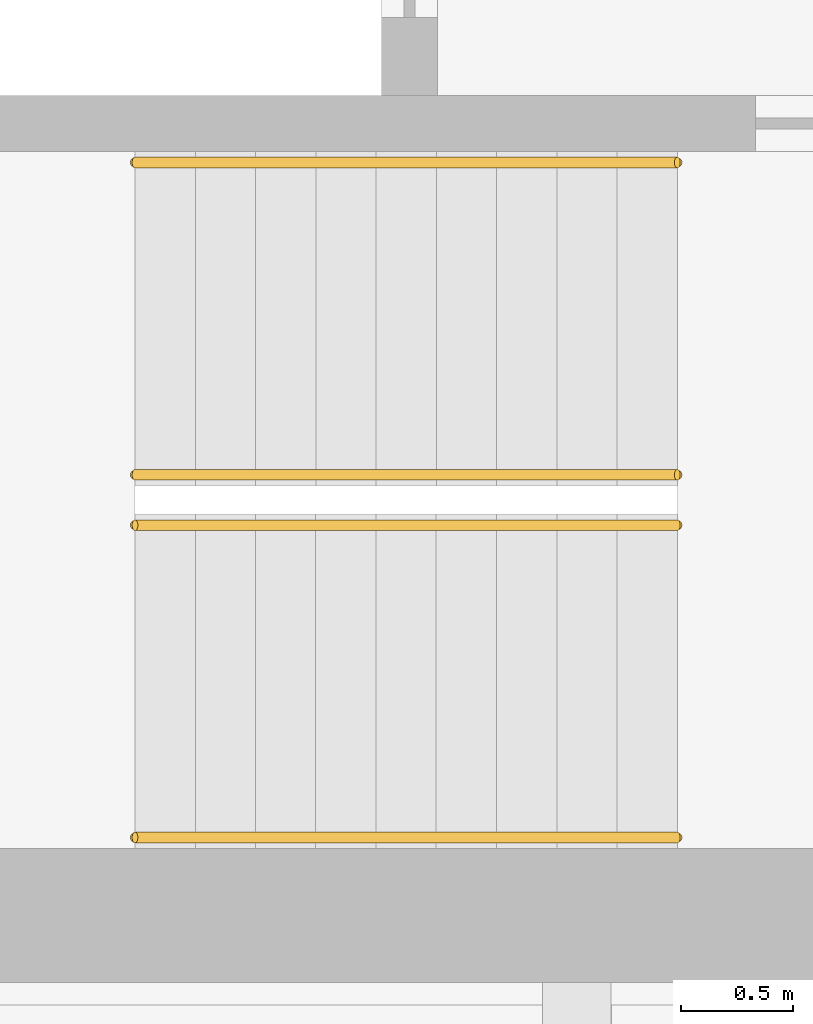
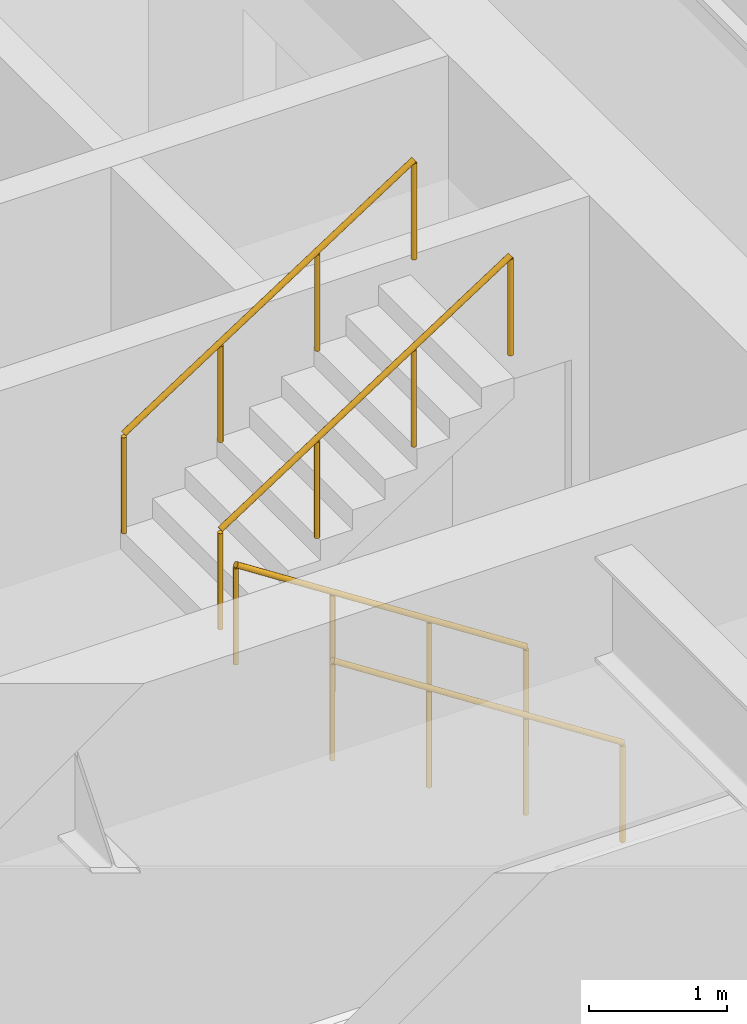
# One storey, part 17 of 21: 4 railings.
"""IFC4 building model written with IfcOpenShell, lengths in metres."""

from ifc_helpers import new_model, si_unit, direction, frame, origin, origin_2d, place, context, subcontext, project, spatial, circle, extrude, material, type_object, element, save


model = new_model("IFC4")

# Units and contexts
model_context = context("Model", 3, precision=1e-05, world=origin(), true_north=direction((0.0, 1.0)))
body_context = subcontext(model_context, "Body", "Model", "MODEL_VIEW")
ifc_project = project(units=[si_unit("LENGTHUNIT", "METRE"), si_unit("AREAUNIT", "SQUARE_METRE"), si_unit("VOLUMEUNIT", "CUBIC_METRE"), si_unit("PLANEANGLEUNIT", "RADIAN"), si_unit("MASSUNIT", "GRAM", prefix="KILO")], contexts=[model_context])

# Site, building, storey
site_placement = place(None, origin())
site = spatial("IfcSite", under=ifc_project, at=site_placement, CompositionType="ELEMENT")
building_placement = place(site_placement, origin())
building = spatial("IfcBuilding", under=site, at=building_placement, Name="Msasa Ring Tower", CompositionType="ELEMENT")
storey_placement = place(building_placement, frame((0.0, 0.0, 51.0)))
storey = spatial("IfcBuildingStorey", under=building, at=storey_placement, Name="L12", CompositionType="ELEMENT", Elevation=51.0)

# Railings
ifc_material = material(Name="Stainless steel", Category="steel")
railing_type = type_object("IfcRailingType", Name="HR1 HANDRAIL 900", PredefinedType="HANDRAIL", material=ifc_material)
for number, where, name in (
    (1, (-10.800048828125, -6.39990234375, 0.175048828125), "Handrail stair SWA L12 1"),
    (2, (-10.800048828125, -5.0, 0.175048828125), "Handrail stair SWA L12 2"),
):
    element("IfcRailing", number, at=place(storey_placement, frame(where)), inside=storey, type_object=railing_type, Name=name, PredefinedType="HANDRAIL", context=body_context, shape_type="SweptSolid", body=[
        extrude(circle(Radius=0.02392578125, at=origin_2d()), frame((0.0, 0.0, 0.8759765625), z_axis=(-0.839153699163, 0.0, 0.543894354798), x_axis=(0.0, -1.0, 0.0)), (0.0, 0.0, 1.0), 2.895751953125),
        extrude(circle(Radius=0.02099609375, at=origin_2d()), origin(), (0.0, 0.0, 1.0), 0.851806640625),
        extrude(circle(Radius=0.02099609375, at=origin_2d()), frame((-0.81005859375, 0.0, 0.52490234375)), (0.0, 0.0, 1.0), 0.851806640625),
        extrude(circle(Radius=0.02099609375, at=origin_2d()), frame((-1.619873046875, 0.0, 1.050048828125)), (0.0, 0.0, 1.0), 0.851806640625),
        extrude(circle(Radius=0.02099609375, at=origin_2d()), frame((-2.429931640625, 0.0, 1.574951171875)), (0.0, 0.0, 1.0), 0.851806640625),
    ])
for number, where, name in (
    (3, (-13.22998046875, -4.77490234375, 1.925048828125), "Handrail stair SWA L12 3"),
    (4, (-13.22998046875, -3.375, 1.925048828125), "Handrail stair SWA L12 4"),
):
    element("IfcRailing", number, at=place(storey_placement, frame(where)), inside=storey, type_object=railing_type, Name=name, PredefinedType="HANDRAIL", context=body_context, shape_type="SweptSolid", body=[
        extrude(circle(Radius=0.02392578125, at=origin_2d()), frame((0.0, 0.0, 0.8759765625), z_axis=(0.839153699163, 0.0, 0.543894354798), x_axis=(0.0, 1.0, 0.0)), (0.0, 0.0, 1.0), 2.895751953125),
        extrude(circle(Radius=0.02099609375, at=origin_2d()), origin(), (0.0, 0.0, 1.0), 0.851806640625),
        extrude(circle(Radius=0.02099609375, at=origin_2d()), frame((0.81005859375, 0.0, 0.52490234375)), (0.0, 0.0, 1.0), 0.851806640625),
        extrude(circle(Radius=0.02099609375, at=origin_2d()), frame((1.619873046875, 0.0, 1.050048828125)), (0.0, 0.0, 1.0), 0.851806640625),
        extrude(circle(Radius=0.02099609375, at=origin_2d()), frame((2.429931640625, 0.0, 1.574951171875)), (0.0, 0.0, 1.0), 0.851806640625),
    ])

save(model, "model.ifc")
